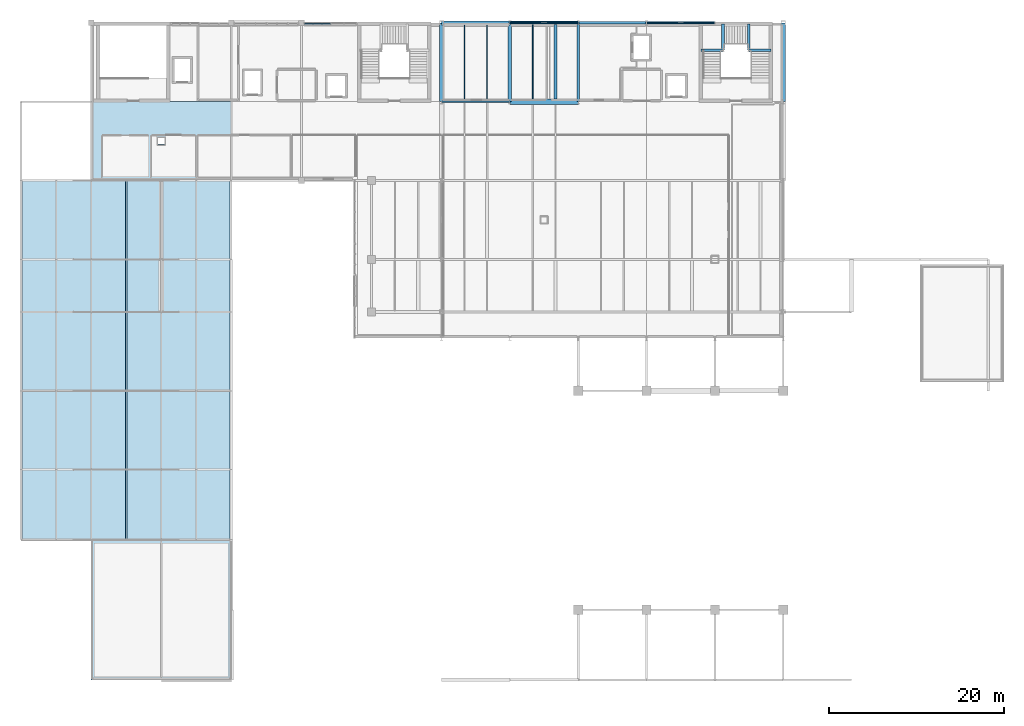
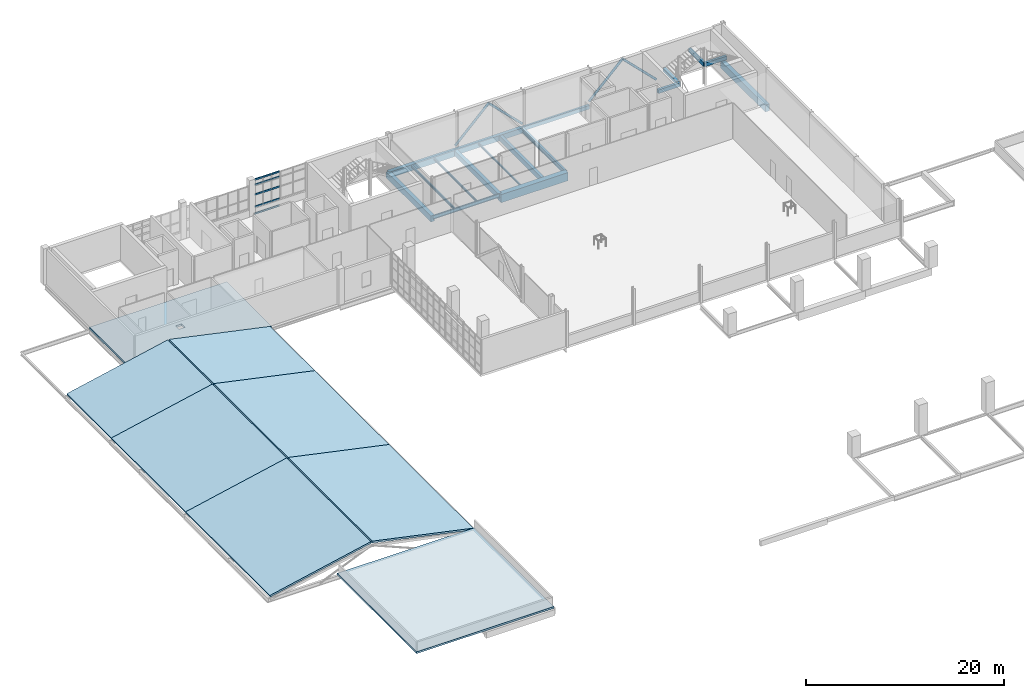
# One storey, part 19 of 38: 19 members, 17 beams, 8 slabs, 1 element without a shape of its own.
"""IFC4 building model written with IfcOpenShell, lengths in metres."""

from ifc_helpers import new_model, si_unit, derived_unit, direction, frame, origin, origin_2d, place, context, subcontext, project, spatial, polyline, rectangle, hollow_rectangle, hollow_circle, i_section, outline, extrude, material, layer, layer_set, material_profile, profile_set, type_object, element, aggregate, save


model = new_model("IFC4")

# Units and contexts
model_context = context("Model", 3, precision=1e-05, world=origin(), true_north=direction((0.0, 1.0)))
body_context = subcontext(model_context, "Body", "Model", "MODEL_VIEW")
ifc_project = project(units=[si_unit("LENGTHUNIT", "METRE"), si_unit("AREAUNIT", "SQUARE_METRE"), si_unit("VOLUMEUNIT", "CUBIC_METRE"), si_unit("PLANEANGLEUNIT", "RADIAN"), si_unit("MASSUNIT", "GRAM", prefix="KILO"), derived_unit("THERMALTRANSMITTANCEUNIT", [(si_unit("POWERUNIT", "WATT"), 1), (si_unit("LENGTHUNIT", "METRE"), -2), (si_unit("THERMODYNAMICTEMPERATUREUNIT", "KELVIN"), -1)])], contexts=[model_context])

# Site, building, storey
site_placement = place(None, origin())
site = spatial("IfcSite", under=ifc_project, at=site_placement, CompositionType="ELEMENT")
building_placement = place(site_placement, origin())
building = spatial("IfcBuilding", under=site, at=building_placement, Name="Nallur Shell Playhouse", CompositionType="ELEMENT")
storey_placement = place(building_placement, frame((0.0, 0.0, 24.300048828125)))
storey = spatial("IfcBuildingStorey", under=building, at=storey_placement, Name="L06", CompositionType="ELEMENT", Elevation=24.300048828125)

# Beams
ifc_material_1 = material(Name="Steel E250", Category="steel")
ifc_material_profile_1 = material_profile(ifc_material_1, i_section(OverallWidth=0.110107421875, OverallDepth=0.22509765625, WebThickness=0.006591796875, FlangeThickness=0.01171875, FilletRadius=0.011962890625, at=origin_2d()), Name="ISMB 225")
ifc_profile_set_1 = profile_set([ifc_material_profile_1], Name="Steel E250")
beam_type_1 = type_object("IfcBeamType", Name="BM-JST-ISMB225", PredefinedType="JOIST", material=ifc_profile_set_1)
beam_1_placement = place(storey_placement, frame((74.39990234375, 74.298095703125, -0.362548828125), z_axis=(0.0, 1.0, 0.0), x_axis=(-1.0, 0.0, 0.0)))
element("IfcBeam", 1, at=beam_1_placement, inside=storey, type_object=beam_type_1, Name="L06 secondary joist 9-J-1223", PredefinedType="JOIST", context=body_context, shape_type="SweptSolid", body=[
    extrude(i_section(OverallWidth=0.110107421875, OverallDepth=0.22509765625, WebThickness=0.006591796875, FlangeThickness=0.01171875, FilletRadius=0.011962890625, at=origin_2d()), origin(), (0.0, 0.0, 1.0), 8.50390625),
])
ifc_material_profile_2 = material_profile(ifc_material_1, i_section(OverallWidth=0.125, OverallDepth=0.25, WebThickness=0.0068359375, FlangeThickness=0.012451171875, FilletRadius=0.012939453125, at=origin_2d()), Name="ISMB 250")
ifc_profile_set_2 = profile_set([ifc_material_profile_2], Name="Steel E250")
beam_type_2 = type_object("IfcBeamType", Name="BM-JST-ISMB250", PredefinedType="JOIST", material=ifc_profile_set_2)
beam_2_placement = place(storey_placement, frame((69.199951171875, 74.072998046875, -0.375), z_axis=(0.0, 1.0, 0.0), x_axis=(-1.0, 0.0, 0.0)))
element("IfcBeam", 2, at=beam_2_placement, inside=storey, type_object=beam_type_2, Name="L06 secondary joist 8-J-1216", PredefinedType="JOIST", context=body_context, shape_type="SweptSolid", body=[
    extrude(i_section(OverallWidth=0.125, OverallDepth=0.25, WebThickness=0.0068359375, FlangeThickness=0.012451171875, FilletRadius=0.012939453125, at=origin_2d()), origin(), (0.0, 0.0, 1.0), 8.7041015625),
])
ifc_material_profile_3 = material_profile(ifc_material_1, i_section(OverallWidth=0.139892578125, OverallDepth=0.300048828125, WebThickness=0.0078125, FlangeThickness=0.01318359375, FilletRadius=0.013916015625, at=origin_2d()), Name="ISMB 300")
ifc_profile_set_3 = profile_set([ifc_material_profile_3], Name="Steel E250")
beam_type_3 = type_object("IfcBeamType", Name="BM-JST-ISMB300", PredefinedType="JOIST", material=ifc_profile_set_3)
beam_3_placement = place(storey_placement, frame((66.60009765625, 74.072998046875, -0.400146484375), z_axis=(0.0, 1.0, 0.0), x_axis=(-1.0, 0.0, 0.0)))
element("IfcBeam", 3, at=beam_3_placement, inside=storey, type_object=beam_type_3, Name="L06 secondary joist 8-J-1215", PredefinedType="JOIST", context=body_context, shape_type="SweptSolid", body=[
    extrude(i_section(OverallWidth=0.139892578125, OverallDepth=0.300048828125, WebThickness=0.0078125, FlangeThickness=0.01318359375, FilletRadius=0.013916015625, at=origin_2d()), origin(), (0.0, 0.0, 1.0), 8.7041015625),
])
ifc_material_2 = material(Name="Concrete M30", Category="concrete")
ifc_material_profile_4 = material_profile(ifc_material_2, rectangle(XDim=0.35009765625, YDim=0.60009765625, at=origin_2d()), Name="RC 350x600")
ifc_profile_set_4 = profile_set([ifc_material_profile_4], Name="Concrete M30")
beam_type_4 = type_object("IfcBeamType", Name="BM-RC-350x600", PredefinedType="JOIST", material=ifc_profile_set_4)
beam_4_placement = place(storey_placement, frame((77.0, 74.298095703125, -0.550048828125), z_axis=(0.0, 1.0, 0.0), x_axis=(-1.0, 0.0, 0.0)))
element("IfcBeam", 4, at=beam_4_placement, inside=storey, type_object=beam_type_4, Name="L06 secondary joist 9-J-1224", PredefinedType="JOIST", context=body_context, shape_type="SweptSolid", body=[
    extrude(rectangle(XDim=0.35009765625, YDim=0.60009765625, at=origin_2d()), origin(), (0.0, 0.0, 1.0), 8.50390625),
])
ifc_material_3 = material(Name="Concrete M35", Category="concrete")
ifc_material_profile_5 = material_profile(ifc_material_3, rectangle(XDim=0.39990234375, YDim=0.64990234375, at=origin_2d()), Name="RC 400x650")
ifc_profile_set_5 = profile_set([ifc_material_profile_5], Name="Concrete M35")
beam_type_5 = type_object("IfcBeamType", Name="BM-RC-400x650", PredefinedType="BEAM", material=ifc_profile_set_5)
beam_5_placement = place(storey_placement, frame((71.800048828125, 83.0, -0.574951171875), z_axis=(1.0, 0.0, 0.0), x_axis=(0.0, 1.0, 0.0)))
element("IfcBeam", 5, at=beam_5_placement, inside=storey, type_object=beam_type_5, Name="L06 girder X-K-1151", PredefinedType="BEAM", context=body_context, shape_type="SweptSolid", body=[
    extrude(rectangle(XDim=0.39990234375, YDim=0.64990234375, at=origin_2d()), origin(), (0.0, 0.0, 1.0), 7.800048828125),
])
beam_6_placement = place(storey_placement, frame((71.800048828125, 74.0, -0.574951171875), z_axis=(0.0, 1.0, 0.0), x_axis=(-1.0, 0.0, 0.0)))
element("IfcBeam", 6, at=beam_6_placement, inside=storey, type_object=beam_type_5, Name="L06 girder Y-9-1183", PredefinedType="BEAM", context=body_context, shape_type="SweptSolid", body=[
    extrude(rectangle(XDim=0.39990234375, YDim=0.64990234375, at=origin_2d()), origin(), (0.0, 0.0, 1.0), 9.0),
])
ifc_material_profile_6 = material_profile(ifc_material_3, rectangle(XDim=0.449951171875, YDim=0.75, at=origin_2d()), Name="RC 450x750")
ifc_profile_set_6 = profile_set([ifc_material_profile_6], Name="Concrete M35")
beam_type_6 = type_object("IfcBeamType", Name="BM-RC-450x750", PredefinedType="BEAM", material=ifc_profile_set_6)
beam_7_placement = place(storey_placement, frame((64.0, 83.0, -0.625), z_axis=(1.0, 0.0, 0.0), x_axis=(0.0, 1.0, 0.0)))
element("IfcBeam", 7, at=beam_7_placement, inside=storey, type_object=beam_type_6, Name="L06 girder X-K-1150", PredefinedType="BEAM", context=body_context, shape_type="SweptSolid", body=[
    extrude(rectangle(XDim=0.449951171875, YDim=0.75, at=origin_2d()), origin(), (0.0, 0.0, 1.0), 7.800048828125),
])
beam_8_placement = place(storey_placement, frame((64.0, 74.0, -0.625), z_axis=(0.0, 1.0, 0.0), x_axis=(-1.0, 0.0, 0.0)))
element("IfcBeam", 8, at=beam_8_placement, inside=storey, type_object=beam_type_6, Name="L06 girder Y-8-1182", PredefinedType="BEAM", context=body_context, shape_type="SweptSolid", body=[
    extrude(rectangle(XDim=0.449951171875, YDim=0.75, at=origin_2d()), origin(), (0.0, 0.0, 1.0), 9.0),
])
ifc_material_4 = material(Name="Concrete M40", Category="concrete")
ifc_material_profile_7 = material_profile(ifc_material_4, rectangle(XDim=0.5, YDim=0.85009765625, at=origin_2d()), Name="RC 500x850")
ifc_profile_set_7 = profile_set([ifc_material_profile_7], Name="Concrete M40")
beam_type_7 = type_object("IfcBeamType", Name="BM-RC-500x850", PredefinedType="BEAM", material=ifc_profile_set_7)
beam_9_placement = place(storey_placement, frame((103.0, 74.0, -0.675048828125), z_axis=(0.0, 1.0, 0.0), x_axis=(-1.0, 0.0, 0.0)))
element("IfcBeam", 9, at=beam_9_placement, inside=storey, type_object=beam_type_7, Name="L06 girder Y-13-1197", PredefinedType="BEAM", context=body_context, shape_type="SweptSolid", body=[
    extrude(rectangle(XDim=0.5, YDim=0.85009765625, at=origin_2d()), origin(), (0.0, 0.0, 1.0), 9.0),
])
ifc_material_profile_8 = material_profile(ifc_material_4, rectangle(XDim=0.60009765625, YDim=1.0, at=origin_2d()), Name="RC 600x1000")
ifc_profile_set_8 = profile_set([ifc_material_profile_8], Name="Concrete M40")
beam_type_8 = type_object("IfcBeamType", Name="BM-RC-600x1000", PredefinedType="BEAM", material=ifc_profile_set_8)
beam_10_placement = place(storey_placement, frame((71.800048828125, 74.0, -0.75), z_axis=(1.0, 0.0, 0.0), x_axis=(0.0, 1.0, 0.0)))
element("IfcBeam", 10, at=beam_10_placement, inside=storey, type_object=beam_type_8, Name="L06 girder X-J-1148", PredefinedType="BEAM", context=body_context, shape_type="SweptSolid", body=[
    extrude(rectangle(XDim=0.60009765625, YDim=1.0, at=origin_2d()), origin(), (0.0, 0.0, 1.0), 7.800048828125),
])
ifc_material_profile_9 = material_profile(ifc_material_3, rectangle(XDim=0.300048828125, YDim=0.449951171875, at=origin_2d()), Name="RC 300x450")
ifc_profile_set_9 = profile_set([ifc_material_profile_9], Name="Concrete M35")
beam_type_9 = type_object("IfcBeamType", Name="BM-SPN-300x450", PredefinedType="SPANDREL", material=ifc_profile_set_9)
beam_11_placement = place(storey_placement, frame((79.60009765625, 83.0, -0.47509765625), z_axis=(1.0, 0.0, 0.0), x_axis=(0.0, 1.0, 0.0)))
element("IfcBeam", 11, at=beam_11_placement, inside=storey, type_object=beam_type_9, Name="L06 girder X-K-1152", PredefinedType="SPANDREL", context=body_context, shape_type="SweptSolid", body=[
    extrude(rectangle(XDim=0.300048828125, YDim=0.449951171875, at=origin_2d()), origin(), (0.0, 0.0, 1.0), 7.7998046875),
])
beam_12_placement = place(storey_placement, frame((93.6201171875, 79.8798828125, 1.121826171875), z_axis=(1.0, 0.0, 0.0), x_axis=(0.0, 1.0, 0.0)))
element("IfcBeam", 12, at=beam_12_placement, inside=storey, type_object=beam_type_9, Name="Stair ST-04-L06 L1 south bearer beam", PredefinedType="SPANDREL", context=body_context, shape_type="SweptSolid", body=[
    extrude(rectangle(XDim=0.300048828125, YDim=0.449951171875, at=origin_2d()), origin(), (0.0, 0.0, 1.0), 2.559814453125),
])
beam_13_placement = place(storey_placement, frame((96.1201171875, 79.8798828125, 1.121826171875), z_axis=(0.0, 1.0, 0.0), x_axis=(-1.0, 0.0, 0.0)))
element("IfcBeam", 13, at=beam_13_placement, inside=storey, type_object=beam_type_9, Name="Stair ST-04-L06 L1 east bearer beam", PredefinedType="SPANDREL", context=body_context, shape_type="SweptSolid", body=[
    extrude(rectangle(XDim=0.300048828125, YDim=0.449951171875, at=origin_2d()), origin(), (0.0, 0.0, 1.0), 3.0),
])
beam_14_placement = place(storey_placement, frame((99.02001953125, 79.8798828125, 2.528076171875), z_axis=(1.0, 0.0, 0.0), x_axis=(0.0, 1.0, 0.0)))
element("IfcBeam", 14, at=beam_14_placement, inside=storey, type_object=beam_type_9, Name="Stair ST-04-L06 L2 south bearer beam", PredefinedType="SPANDREL", context=body_context, shape_type="SweptSolid", body=[
    extrude(rectangle(XDim=0.300048828125, YDim=0.449951171875, at=origin_2d()), origin(), (0.0, 0.0, 1.0), 2.56005859375),
])
beam_15_placement = place(storey_placement, frame((99.080078125, 79.8798828125, 2.528076171875), z_axis=(0.0, 1.0, 0.0), x_axis=(-1.0, 0.0, 0.0)))
element("IfcBeam", 15, at=beam_15_placement, inside=storey, type_object=beam_type_9, Name="Stair ST-04-L06 L2 west bearer beam", PredefinedType="SPANDREL", context=body_context, shape_type="SweptSolid", body=[
    extrude(rectangle(XDim=0.300048828125, YDim=0.449951171875, at=origin_2d()), origin(), (0.0, 0.0, 1.0), 3.0),
])
ifc_material_5 = material(Name="Steel E350", Category="steel")
ifc_material_profile_10 = material_profile(ifc_material_5, i_section(OverallWidth=0.14990234375, OverallDepth=0.449951171875, WebThickness=0.009521484375, FlangeThickness=0.017333984375, FilletRadius=0.014892578125, at=origin_2d()), Name="ISMB 450")
ifc_profile_set_10 = profile_set([ifc_material_profile_10], Name="Steel E350")
beam_type_10 = type_object("IfcBeamType", Name="BM-ST-ISMB450", PredefinedType="BEAM", material=ifc_profile_set_10)
beam_16_placement = place(storey_placement, frame((64.0, 74.0, -0.47509765625), z_axis=(1.0, 0.0, 0.0), x_axis=(0.0, 1.0, 0.0)))
element("IfcBeam", 16, at=beam_16_placement, inside=storey, type_object=beam_type_10, Name="L06 girder X-J-1147", PredefinedType="BEAM", context=body_context, shape_type="SweptSolid", body=[
    extrude(i_section(OverallWidth=0.14990234375, OverallDepth=0.449951171875, WebThickness=0.009521484375, FlangeThickness=0.017333984375, FilletRadius=0.014892578125, at=origin_2d()), origin(), (0.0, 0.0, 1.0), 7.800048828125),
])
ifc_material_profile_11 = material_profile(ifc_material_5, i_section(OverallWidth=0.25, OverallDepth=0.550048828125, WebThickness=0.010498046875, FlangeThickness=0.017578125, FilletRadius=0.01611328125, at=origin_2d()), Name="ISWB 550")
ifc_profile_set_11 = profile_set([ifc_material_profile_11], Name="Steel E350")
beam_type_11 = type_object("IfcBeamType", Name="BM-ST-ISWB550", PredefinedType="BEAM", material=ifc_profile_set_11)
beam_17_placement = place(storey_placement, frame((79.60009765625, 74.0, -0.525146484375), z_axis=(0.0, 1.0, 0.0), x_axis=(-1.0, 0.0, 0.0)))
element("IfcBeam", 17, at=beam_17_placement, inside=storey, type_object=beam_type_11, Name="L06 girder Y-10-1186", PredefinedType="BEAM", context=body_context, shape_type="SweptSolid", body=[
    extrude(i_section(OverallWidth=0.25, OverallDepth=0.550048828125, WebThickness=0.010498046875, FlangeThickness=0.017578125, FilletRadius=0.01611328125, at=origin_2d()), origin(), (0.0, 0.0, 1.0), 9.0),
])

# Curtain wall, members
ifc_material_6 = material(Name="Anodised Aluminium Double-Glazed Facade System", Category="aluminium")
ifc_layer_1 = layer(ifc_material_6, 0.176025390625)
ifc_layer_set_1 = layer_set([ifc_layer_1], Name="Anodised Aluminium Double-Glazed Facade System")
curtain_wall_type = type_object("IfcCurtainWallType", Name="CW-UNIT-04", PredefinedType="NOTDEFINED", material=ifc_layer_set_1)
curtain_wall_placement = place(storey_placement, origin())
curtain_wall = element("IfcCurtainWall", 18, at=curtain_wall_placement, inside=storey, type_object=curtain_wall_type, Name="Unitised curtain wall CW-196 (L06)", PredefinedType="NOTDEFINED")
ifc_material_7 = material(Name="Aluminium Alloy 6063-T6 Transom", Category="aluminium")
ifc_material_profile_12 = material_profile(ifc_material_7, hollow_rectangle(XDim=0.10009765625, YDim=0.199951171875, WallThickness=0.008056640625, at=origin_2d()), Name="RHS 200x100x8")
ifc_profile_set_12 = profile_set([ifc_material_profile_12], Name="Aluminium Alloy 6063-T6 Transom")
member_type_1 = type_object("IfcMemberType", Name="MB-CW-TRN140", PredefinedType="USERDEFINED", material=ifc_profile_set_12)
member_1_placement = place(storey_placement, frame((48.389892578125, 82.909912109375, 0.050048828125), z_axis=(1.0, 0.0, 0.0), x_axis=(0.0, 1.0, 0.0)))
member_1 = element("IfcMember", 19, at=member_1_placement, type_object=member_type_1, Name="CW-04 transom 1.1", ObjectType="TRANSOM", PredefinedType="USERDEFINED", context=body_context, shape_type="SweptSolid", body=[
    extrude(hollow_rectangle(XDim=0.10009765625, YDim=0.199951171875, WallThickness=0.008056640625, at=origin_2d()), origin(), (0.0, 0.0, 1.0), 0.919677734375),
])
member_2_placement = place(storey_placement, frame((48.389892578125, 82.909912109375, 0.89990234375), z_axis=(1.0, 0.0, 0.0), x_axis=(0.0, 1.0, 0.0)))
member_2 = element("IfcMember", 20, at=member_2_placement, type_object=member_type_1, Name="CW-04 transom 1.2", ObjectType="TRANSOM", PredefinedType="USERDEFINED", context=body_context, shape_type="SweptSolid", body=[
    extrude(hollow_rectangle(XDim=0.10009765625, YDim=0.199951171875, WallThickness=0.008056640625, at=origin_2d()), origin(), (0.0, 0.0, 1.0), 0.919677734375),
])
member_3_placement = place(storey_placement, frame((48.389892578125, 82.909912109375, 2.39697265625), z_axis=(1.0, 0.0, 0.0), x_axis=(0.0, 1.0, 0.0)))
member_3 = element("IfcMember", 21, at=member_3_placement, type_object=member_type_1, Name="CW-04 transom 1.3", ObjectType="TRANSOM", PredefinedType="USERDEFINED", context=body_context, shape_type="SweptSolid", body=[
    extrude(hollow_rectangle(XDim=0.10009765625, YDim=0.199951171875, WallThickness=0.008056640625, at=origin_2d()), origin(), (0.0, 0.0, 1.0), 0.919677734375),
])
member_4_placement = place(storey_placement, frame((48.389892578125, 82.909912109375, 3.599853515625), z_axis=(1.0, 0.0, 0.0), x_axis=(0.0, 1.0, 0.0)))
member_4 = element("IfcMember", 22, at=member_4_placement, type_object=member_type_1, Name="CW-04 transom 1.4", ObjectType="TRANSOM", PredefinedType="USERDEFINED", context=body_context, shape_type="SweptSolid", body=[
    extrude(hollow_rectangle(XDim=0.10009765625, YDim=0.199951171875, WallThickness=0.008056640625, at=origin_2d()), origin(), (0.0, 0.0, 1.0), 0.919677734375),
])
member_5_placement = place(storey_placement, frame((48.389892578125, 82.909912109375, 4.22998046875), z_axis=(1.0, 0.0, 0.0), x_axis=(0.0, 1.0, 0.0)))
member_5 = element("IfcMember", 23, at=member_5_placement, type_object=member_type_1, Name="CW-04 transom 1.5", ObjectType="TRANSOM", PredefinedType="USERDEFINED", context=body_context, shape_type="SweptSolid", body=[
    extrude(hollow_rectangle(XDim=0.10009765625, YDim=0.199951171875, WallThickness=0.008056640625, at=origin_2d()), origin(), (0.0, 0.0, 1.0), 0.919677734375),
])
member_6_placement = place(storey_placement, frame((49.358642578125, 82.909912109375, 0.050048828125), z_axis=(1.0, 0.0, 0.0), x_axis=(0.0, 1.0, 0.0)))
member_6 = element("IfcMember", 24, at=member_6_placement, type_object=member_type_1, Name="CW-04 transom 2.1", ObjectType="TRANSOM", PredefinedType="USERDEFINED", context=body_context, shape_type="SweptSolid", body=[
    extrude(hollow_rectangle(XDim=0.10009765625, YDim=0.199951171875, WallThickness=0.008056640625, at=origin_2d()), origin(), (0.0, 0.0, 1.0), 0.9521484375),
])
member_7_placement = place(storey_placement, frame((49.358642578125, 82.909912109375, 0.89990234375), z_axis=(1.0, 0.0, 0.0), x_axis=(0.0, 1.0, 0.0)))
member_7 = element("IfcMember", 25, at=member_7_placement, type_object=member_type_1, Name="CW-04 transom 2.2", ObjectType="TRANSOM", PredefinedType="USERDEFINED", context=body_context, shape_type="SweptSolid", body=[
    extrude(hollow_rectangle(XDim=0.10009765625, YDim=0.199951171875, WallThickness=0.008056640625, at=origin_2d()), origin(), (0.0, 0.0, 1.0), 0.9521484375),
])
member_8_placement = place(storey_placement, frame((49.358642578125, 82.909912109375, 2.39697265625), z_axis=(1.0, 0.0, 0.0), x_axis=(0.0, 1.0, 0.0)))
member_8 = element("IfcMember", 26, at=member_8_placement, type_object=member_type_1, Name="CW-04 transom 2.3", ObjectType="TRANSOM", PredefinedType="USERDEFINED", context=body_context, shape_type="SweptSolid", body=[
    extrude(hollow_rectangle(XDim=0.10009765625, YDim=0.199951171875, WallThickness=0.008056640625, at=origin_2d()), origin(), (0.0, 0.0, 1.0), 0.9521484375),
])
member_9_placement = place(storey_placement, frame((49.358642578125, 82.909912109375, 3.599853515625), z_axis=(1.0, 0.0, 0.0), x_axis=(0.0, 1.0, 0.0)))
member_9 = element("IfcMember", 27, at=member_9_placement, type_object=member_type_1, Name="CW-04 transom 2.4", ObjectType="TRANSOM", PredefinedType="USERDEFINED", context=body_context, shape_type="SweptSolid", body=[
    extrude(hollow_rectangle(XDim=0.10009765625, YDim=0.199951171875, WallThickness=0.008056640625, at=origin_2d()), origin(), (0.0, 0.0, 1.0), 0.9521484375),
])
member_10_placement = place(storey_placement, frame((49.358642578125, 82.909912109375, 4.22998046875), z_axis=(1.0, 0.0, 0.0), x_axis=(0.0, 1.0, 0.0)))
member_10 = element("IfcMember", 28, at=member_10_placement, type_object=member_type_1, Name="CW-04 transom 2.5", ObjectType="TRANSOM", PredefinedType="USERDEFINED", context=body_context, shape_type="SweptSolid", body=[
    extrude(hollow_rectangle(XDim=0.10009765625, YDim=0.199951171875, WallThickness=0.008056640625, at=origin_2d()), origin(), (0.0, 0.0, 1.0), 0.9521484375),
])
member_11_placement = place(storey_placement, frame((50.35986328125, 82.909912109375, 0.050048828125), z_axis=(1.0, 0.0, 0.0), x_axis=(0.0, 1.0, 0.0)))
member_11 = element("IfcMember", 29, at=member_11_placement, type_object=member_type_1, Name="CW-04 transom 3.1", ObjectType="TRANSOM", PredefinedType="USERDEFINED", context=body_context, shape_type="SweptSolid", body=[
    extrude(hollow_rectangle(XDim=0.10009765625, YDim=0.199951171875, WallThickness=0.008056640625, at=origin_2d()), origin(), (0.0, 0.0, 1.0), 0.919677734375),
])
member_12_placement = place(storey_placement, frame((50.35986328125, 82.909912109375, 0.89990234375), z_axis=(1.0, 0.0, 0.0), x_axis=(0.0, 1.0, 0.0)))
member_12 = element("IfcMember", 30, at=member_12_placement, type_object=member_type_1, Name="CW-04 transom 3.2", ObjectType="TRANSOM", PredefinedType="USERDEFINED", context=body_context, shape_type="SweptSolid", body=[
    extrude(hollow_rectangle(XDim=0.10009765625, YDim=0.199951171875, WallThickness=0.008056640625, at=origin_2d()), origin(), (0.0, 0.0, 1.0), 0.919677734375),
])
member_13_placement = place(storey_placement, frame((50.35986328125, 82.909912109375, 2.39697265625), z_axis=(1.0, 0.0, 0.0), x_axis=(0.0, 1.0, 0.0)))
member_13 = element("IfcMember", 31, at=member_13_placement, type_object=member_type_1, Name="CW-04 transom 3.3", ObjectType="TRANSOM", PredefinedType="USERDEFINED", context=body_context, shape_type="SweptSolid", body=[
    extrude(hollow_rectangle(XDim=0.10009765625, YDim=0.199951171875, WallThickness=0.008056640625, at=origin_2d()), origin(), (0.0, 0.0, 1.0), 0.919677734375),
])
member_14_placement = place(storey_placement, frame((50.35986328125, 82.909912109375, 3.599853515625), z_axis=(1.0, 0.0, 0.0), x_axis=(0.0, 1.0, 0.0)))
member_14 = element("IfcMember", 32, at=member_14_placement, type_object=member_type_1, Name="CW-04 transom 3.4", ObjectType="TRANSOM", PredefinedType="USERDEFINED", context=body_context, shape_type="SweptSolid", body=[
    extrude(hollow_rectangle(XDim=0.10009765625, YDim=0.199951171875, WallThickness=0.008056640625, at=origin_2d()), origin(), (0.0, 0.0, 1.0), 0.919677734375),
])
member_15_placement = place(storey_placement, frame((50.35986328125, 82.909912109375, 4.22998046875), z_axis=(1.0, 0.0, 0.0), x_axis=(0.0, 1.0, 0.0)))
member_15 = element("IfcMember", 33, at=member_15_placement, type_object=member_type_1, Name="CW-04 transom 3.5", ObjectType="TRANSOM", PredefinedType="USERDEFINED", context=body_context, shape_type="SweptSolid", body=[
    extrude(hollow_rectangle(XDim=0.10009765625, YDim=0.199951171875, WallThickness=0.008056640625, at=origin_2d()), origin(), (0.0, 0.0, 1.0), 0.919677734375),
])
aggregate(curtain_wall, [member_1, member_2, member_3, member_4, member_5, member_6, member_7, member_8, member_9, member_10, member_11, member_12, member_13, member_14, member_15])

# Members
ifc_material_profile_13 = material_profile(ifc_material_5, hollow_circle(Radius=0.136474609375, WallThickness=0.011962890625, at=origin_2d()), Name="CHS 273.0x12")
ifc_profile_set_13 = profile_set([ifc_material_profile_13], Name="Steel E350")
member_type_2 = type_object("IfcMemberType", Name="MB-FT-BRACE3", PredefinedType="BRACE", material=ifc_profile_set_13)
member_16_placement = place(storey_placement, frame((71.800048828125, 83.0, 0.14990234375), z_axis=(0.708901825357, 0.0, 0.705307168549), x_axis=(0.0, 1.0, 0.0)))
element("IfcMember", 34, at=member_16_placement, inside=storey, type_object=member_type_2, Name="Stage fly tower concentric brace BR-FT-L06-045", PredefinedType="BRACE", context=body_context, shape_type="SweptSolid", body=[
    extrude(hollow_circle(Radius=0.136474609375, WallThickness=0.011962890625, at=origin_2d()), origin(), (0.0, 0.0, 1.0), 5.501220703125),
])
for number, where, z_axis, x_axis, name in (
    (35, (79.60009765625, 83.0, 0.14990234375), (-0.708923900753, 0.0, 0.705284979948), (0.0, -1.0, 0.0), "Stage fly tower concentric brace BR-FT-L06-046"),
    (36, (87.39990234375, 83.0, 0.14990234375), (0.708923900753, 0.0, 0.705284979948), (0.0, 1.0, 0.0), "Stage fly tower concentric brace BR-FT-L06-047"),
):
    element("IfcMember", number, at=place(storey_placement, frame(where, z_axis=z_axis, x_axis=x_axis)), inside=storey, type_object=member_type_2, Name=name, PredefinedType="BRACE", context=body_context, shape_type="SweptSolid", body=[
        extrude(hollow_circle(Radius=0.136474609375, WallThickness=0.011962890625, at=origin_2d()), origin(), (0.0, 0.0, 1.0), 5.50146484375),
    ])
member_17_placement = place(storey_placement, frame((95.199951171875, 83.0, 0.14990234375), z_axis=(-0.708901825357, 0.0, 0.705307168549), x_axis=(0.0, -1.0, 0.0)))
element("IfcMember", 37, at=member_17_placement, inside=storey, type_object=member_type_2, Name="Stage fly tower concentric brace BR-FT-L06-048", PredefinedType="BRACE", context=body_context, shape_type="SweptSolid", body=[
    extrude(hollow_circle(Radius=0.136474609375, WallThickness=0.011962890625, at=origin_2d()), origin(), (0.0, 0.0, 1.0), 5.501220703125),
])

# Slabs
ifc_layer_2 = layer(ifc_material_3, 0.219970703125)
ifc_layer_set_2 = layer_set([ifc_layer_2], Name="Concrete M35")
slab_type_1 = type_object("IfcSlabType", Name="SL-FLATROOF-220", PredefinedType="ROOF", material=ifc_layer_set_2)
slab_1_placement = place(storey_placement, frame((0.0, 0.0, -0.219970703125)))
element("IfcSlab", 38, at=slab_1_placement, inside=storey, type_object=slab_type_1, Name="L06 JC-1 West Core overrun roof slab", PredefinedType="ROOF", context=body_context, shape_type="SweptSolid", body=[
    extrude(outline(polyline([(24.0, 8.0), (24.0, 24.0), (40.0, 24.0), (40.0, 8.0), (24.0, 8.0)])), origin(), (0.0, 0.0, 1.0), 0.219970703125),
])
for number, where, z_axis, x_axis, name in (
    (39, (16.14990234375, 24.0, 0.0), (-0.209263121991, 0.0, 0.977859369119), (0.977859369119, 0.0, 0.209263121991), "Black-Box & Rehearsal 12-deg west roof facet 1"),
    (40, (28.080078125, 24.0, 2.518798828125), (0.209263121991, 0.0, 0.977859369119), (0.977859369119, 0.0, -0.209263121991), "Black-Box & Rehearsal 12-deg east roof facet 1"),
):
    element("IfcSlab", number, at=place(storey_placement, frame(where, z_axis=z_axis, x_axis=x_axis)), inside=storey, type_object=slab_type_1, Name=name, PredefinedType="ROOF", context=body_context, shape_type="SweptSolid", body=[
        extrude(outline(polyline([(0.0, 0.0), (12.036515579791784, 0.0), (12.036515579791784, 17.0), (0.0, 17.0), (0.0, 0.0)])), origin(), (0.0, 0.0, -1.0), 0.219970703125),
    ])
for number, where, z_axis, x_axis, name in (
    (41, (16.14990234375, 41.0, 0.0), (-0.209263121991, 0.0, 0.977859369119), (0.977859369119, 0.0, 0.209263121991), "Black-Box & Rehearsal 12-deg west roof facet 2"),
    (42, (28.080078125, 41.0, 2.518798828125), (0.209263121991, 0.0, 0.977859369119), (0.977859369119, 0.0, -0.209263121991), "Black-Box & Rehearsal 12-deg east roof facet 2"),
):
    element("IfcSlab", number, at=place(storey_placement, frame(where, z_axis=z_axis, x_axis=x_axis)), inside=storey, type_object=slab_type_1, Name=name, PredefinedType="ROOF", context=body_context, shape_type="SweptSolid", body=[
        extrude(outline(polyline([(0.0, 0.0), (12.036515579791784, 0.0), (12.036515579791784, 15.0), (0.0, 15.0), (0.0, 0.0)])), origin(), (0.0, 0.0, -1.0), 0.219970703125),
    ])
for number, where, z_axis, x_axis, name in (
    (43, (16.14990234375, 56.0, 0.0), (-0.209263121991, 0.0, 0.977859369119), (0.977859369119, 0.0, 0.209263121991), "Black-Box & Rehearsal 12-deg west roof facet 3"),
    (44, (28.080078125, 56.0, 2.518798828125), (0.209263121991, 0.0, 0.977859369119), (0.977859369119, 0.0, -0.209263121991), "Black-Box & Rehearsal 12-deg east roof facet 3"),
):
    element("IfcSlab", number, at=place(storey_placement, frame(where, z_axis=z_axis, x_axis=x_axis)), inside=storey, type_object=slab_type_1, Name=name, PredefinedType="ROOF", context=body_context, shape_type="SweptSolid", body=[
        extrude(outline(polyline([(0.0, 0.0), (12.036515579791784, 0.0), (12.036515579791784, 9.0), (0.0, 9.0), (0.0, 0.0)])), origin(), (0.0, 0.0, -1.0), 0.219970703125),
    ])
ifc_layer_3 = layer(ifc_material_2, 0.25)
ifc_layer_set_3 = layer_set([ifc_layer_3], Name="Concrete M30")
slab_type_2 = type_object("IfcSlabType", Name="SL-UPPER-250", PredefinedType="FLOOR", material=ifc_layer_set_3)
slab_2_placement = place(storey_placement, frame((0.0, 0.0, -0.25)))
element("IfcSlab", 45, at=slab_2_placement, inside=storey, type_object=slab_type_2, Name="L06 structural floor slab panel 01", PredefinedType="FLOOR", context=body_context, shape_type="SweptSolid", body=[
    extrude(outline(polyline([(24.0, 65.0), (24.0, 74.0), (40.0, 74.0), (40.0, 65.0), (24.0, 65.0)]), holes=[polyline([(31.64990234375, 69.14990234375), (32.35009765625, 69.14990234375), (32.35009765625, 69.85009765625), (31.64990234375, 69.85009765625), (31.64990234375, 69.14990234375)])]), origin(), (0.0, 0.0, 1.0), 0.25),
])

save(model, "model.ifc")
